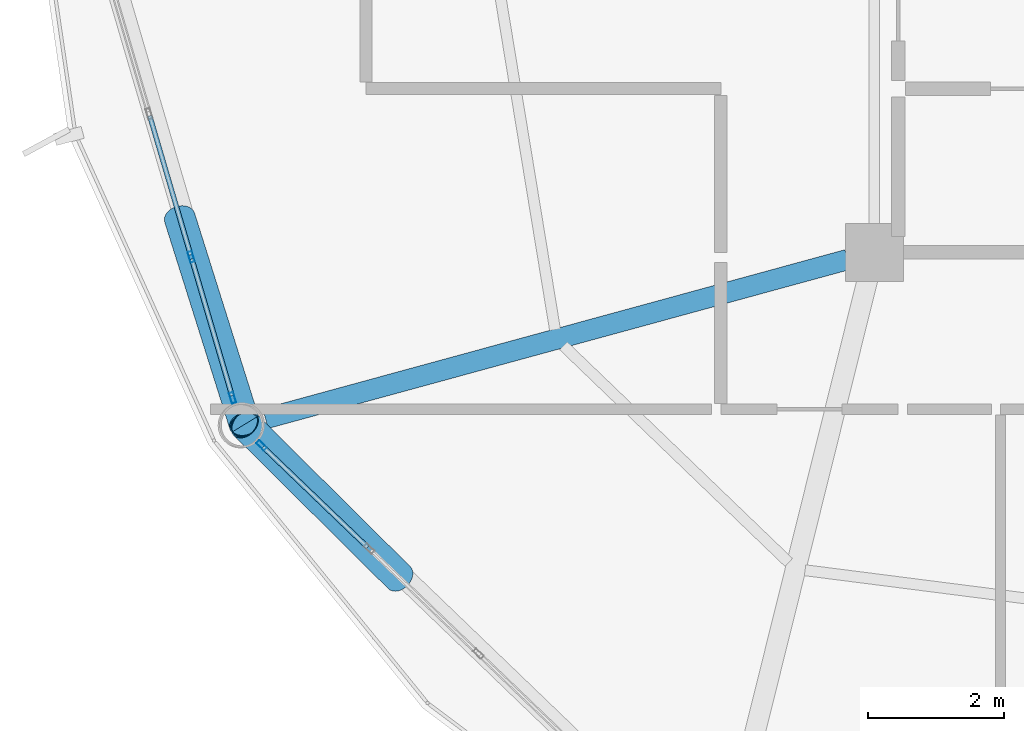
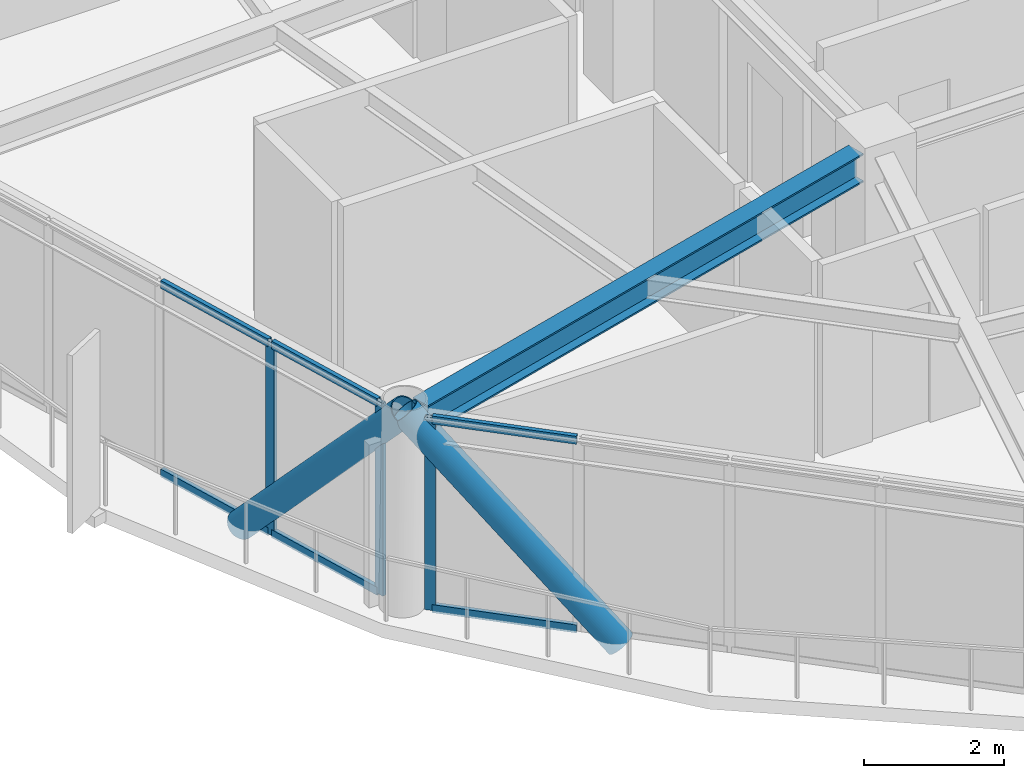
# One storey, part 4 of 28: 11 members, 1 beam, 2 elements without a shape of their own.
"""IFC4 building model written with IfcOpenShell, lengths in metres."""

from ifc_helpers import new_model, si_unit, direction, frame, origin, origin_2d, place, context, subcontext, project, spatial, hollow_rectangle, hollow_circle, i_section, extrude, material, layer, layer_set, material_profile, profile_set, type_object, element, aggregate, save


model = new_model("IFC4")

# Units and contexts
model_context = context("Model", 3, precision=1e-05, world=origin(), true_north=direction((0.0, 1.0)))
body_context = subcontext(model_context, "Body", "Model", "MODEL_VIEW")
ifc_project = project(units=[si_unit("LENGTHUNIT", "METRE"), si_unit("AREAUNIT", "SQUARE_METRE"), si_unit("VOLUMEUNIT", "CUBIC_METRE"), si_unit("PLANEANGLEUNIT", "RADIAN"), si_unit("MASSUNIT", "GRAM", prefix="KILO")], contexts=[model_context])

# Site, building, storey
site_placement = place(None, origin())
site = spatial("IfcSite", under=ifc_project, at=site_placement, CompositionType="ELEMENT")
building_placement = place(site_placement, origin())
building = spatial("IfcBuilding", under=site, at=building_placement, Name="Varnakorn Sky Granary", CompositionType="ELEMENT")
storey_placement = place(building_placement, frame((0.0, 0.0, 211.199951171875)))
storey = spatial("IfcBuildingStorey", under=building, at=storey_placement, Name="L53", CompositionType="ELEMENT", Elevation=211.199951171875)

# Beam
ifc_material_1 = material(Name="Steel S355JR", Category="steel")
ifc_material_profile_1 = material_profile(ifc_material_1, i_section(OverallWidth=0.300048828125, OverallDepth=0.5, WebThickness=0.014404296875, FlangeThickness=0.028076171875, at=origin_2d()), Name="HE 500 B")
ifc_profile_set_1 = profile_set([ifc_material_profile_1], Name="Steel S355JR")
beam_type = type_object("IfcBeamType", Name="BM-RAD-Z4", PredefinedType="BEAM", material=ifc_profile_set_1)
beam_placement = place(storey_placement, frame((-2.74072265625, -6.706787109375, 3.110107421875), z_axis=(-0.964652923133, -0.263523695122, 0.0), x_axis=(0.263523695122, -0.964652923133, 0.0)))
element("IfcBeam", 1, at=beam_placement, inside=storey, type_object=beam_type, Name="Radial Floor Girder RG08 L53", PredefinedType="BEAM", context=body_context, shape_type="SweptSolid", body=[
    extrude(i_section(OverallWidth=0.300048828125, OverallDepth=0.5, WebThickness=0.014404296875, FlangeThickness=0.028076171875, at=origin_2d()), origin(), (0.0, 0.0, 1.0), 8.8466796875),
])

# Curtain wall, members
ifc_material_2 = material(Name="Anodised Bronze Aluminium Alloy 6063-T6", Category="aluminium")
ifc_layer = layer(ifc_material_2, 0.169921875, Name="Anodised Bronze Aluminium Alloy 6063-T6")
ifc_layer_set = layer_set([ifc_layer], Name="Anodised Bronze Aluminium Alloy 6063-T6")
curtain_wall_type = type_object("IfcCurtainWallType", Name="CW-LAB-1", PredefinedType="USERDEFINED", material=ifc_layer_set)
curtain_wall_1_placement = place(storey_placement, origin())
curtain_wall_1 = element("IfcCurtainWall", 2, at=curtain_wall_1_placement, inside=storey, type_object=curtain_wall_type, Name="Unitised Curtain Wall CW5 CW-L53-B07", ObjectType="CURTAIN WALL", PredefinedType="USERDEFINED")
ifc_material_profile_2 = material_profile(ifc_material_2, hollow_rectangle(XDim=0.06494140625, YDim=0.159912109375, WallThickness=0.00341796875, at=origin_2d()), Name="ALU MULL 65x160")
ifc_profile_set_2 = profile_set([ifc_material_profile_2], Name="Anodised Bronze Aluminium Alloy 6063-T6")
member_type_1 = type_object("IfcMemberType", Name="CW-LAB-1-MULL", PredefinedType="MULLION", material=ifc_profile_set_2)
member_1_placement = place(storey_placement, frame((-11.756591796875, -8.732666015625, 0.0), z_axis=(0.0, 0.0, 1.0), x_axis=(-0.959425208919, -0.28196323961, 0.0)))
member_1 = element("IfcMember", 3, at=member_1_placement, type_object=member_type_1, Name="CW5 mullion 1", PredefinedType="MULLION", context=body_context, shape_type="SweptSolid", body=[
    extrude(hollow_rectangle(XDim=0.06494140625, YDim=0.159912109375, WallThickness=0.00341796875, at=origin_2d()), origin(), (0.0, 0.0, 1.0), 3.360107421875),
])
member_2_placement = place(storey_placement, frame((-12.36376953125, -6.66650390625, 0.0), z_axis=(0.0, 0.0, 1.0), x_axis=(-0.959425208919, -0.28196323961, 0.0)))
member_2 = element("IfcMember", 4, at=member_2_placement, type_object=member_type_1, Name="CW5 mullion 2", PredefinedType="MULLION", context=body_context, shape_type="SweptSolid", body=[
    extrude(hollow_rectangle(XDim=0.06494140625, YDim=0.159912109375, WallThickness=0.00341796875, at=origin_2d()), origin(), (0.0, 0.0, 1.0), 3.360107421875),
])

# Curtain wall, member
curtain_wall_2_placement = place(storey_placement, origin())
curtain_wall_2 = element("IfcCurtainWall", 5, at=curtain_wall_2_placement, inside=storey, type_object=curtain_wall_type, Name="Unitised Curtain Wall CW5 CW-L53-B08", ObjectType="CURTAIN WALL", PredefinedType="USERDEFINED")
member_3_placement = place(storey_placement, frame((-11.332763671875, -9.4306640625, 0.0), z_axis=(0.0, 0.0, 1.0), x_axis=(-0.692516121649, -0.721402398982, 0.0)))
member_3 = element("IfcMember", 6, at=member_3_placement, type_object=member_type_1, Name="CW5 mullion 5", PredefinedType="MULLION", context=body_context, shape_type="SweptSolid", body=[
    extrude(hollow_rectangle(XDim=0.06494140625, YDim=0.159912109375, WallThickness=0.00341796875, at=origin_2d()), origin(), (0.0, 0.0, 1.0), 3.360107421875),
])

# Member
ifc_material_profile_3 = material_profile(ifc_material_2, hollow_rectangle(XDim=0.070068359375, YDim=0.139892578125, WallThickness=0.00341796875, at=origin_2d()), Name="ALU TRAN 70x140")
ifc_profile_set_3 = profile_set([ifc_material_profile_3], Name="Anodised Bronze Aluminium Alloy 6063-T6")
member_type_2 = type_object("IfcMemberType", Name="CW-LAB-1-TRAN", PredefinedType="USERDEFINED", material=ifc_profile_set_3)
member_4_placement = place(storey_placement, frame((-11.765625, -8.701416015625, 0.03515625), z_axis=(-0.282046085468, 0.959400857656, 0.0), x_axis=(-0.959400857656, -0.282046085468, 0.0)))
member_4 = element("IfcMember", 7, at=member_4_placement, type_object=member_type_2, Name="CW5 transom 1.1", ObjectType="TRANSOM", PredefinedType="USERDEFINED", context=body_context, shape_type="SweptSolid", body=[
    extrude(hollow_rectangle(XDim=0.070068359375, YDim=0.139892578125, WallThickness=0.00341796875, at=origin_2d()), origin(), (0.0, 0.0, 1.0), 2.088623046875),
])

member_5_placement = place(storey_placement, frame((-11.765625, -8.701416015625, 3.324951171875), z_axis=(-0.282046085468, 0.959400857656, 0.0), x_axis=(-0.959400857656, -0.282046085468, 0.0)))
member_5 = element("IfcMember", 8, at=member_5_placement, type_object=member_type_2, Name="CW5 transom 1.2", ObjectType="TRANSOM", PredefinedType="USERDEFINED", context=body_context, shape_type="SweptSolid", body=[
    extrude(hollow_rectangle(XDim=0.070068359375, YDim=0.139892578125, WallThickness=0.00341796875, at=origin_2d()), origin(), (0.0, 0.0, 1.0), 2.088623046875),
])

member_6_placement = place(storey_placement, frame((-12.373046875, -6.63525390625, 0.03515625), z_axis=(-0.281873435713, 0.959451596611, 0.0), x_axis=(-0.959451596611, -0.281873435713, 0.0)))
member_6 = element("IfcMember", 9, at=member_6_placement, type_object=member_type_2, Name="CW5 transom 2.1", ObjectType="TRANSOM", PredefinedType="USERDEFINED", context=body_context, shape_type="SweptSolid", body=[
    extrude(hollow_rectangle(XDim=0.070068359375, YDim=0.139892578125, WallThickness=0.00341796875, at=origin_2d()), origin(), (0.0, 0.0, 1.0), 2.12109375),
])

member_7_placement = place(storey_placement, frame((-12.373046875, -6.63525390625, 3.324951171875), z_axis=(-0.281873435713, 0.959451596611, 0.0), x_axis=(-0.959451596611, -0.281873435713, 0.0)))
member_7 = element("IfcMember", 10, at=member_7_placement, type_object=member_type_2, Name="CW5 transom 2.2", ObjectType="TRANSOM", PredefinedType="USERDEFINED", context=body_context, shape_type="SweptSolid", body=[
    extrude(hollow_rectangle(XDim=0.070068359375, YDim=0.139892578125, WallThickness=0.00341796875, at=origin_2d()), origin(), (0.0, 0.0, 1.0), 2.12109375),
])

aggregate(curtain_wall_1, [member_1, member_2, member_4, member_5, member_6, member_7])

member_8_placement = place(storey_placement, frame((-9.778076171875, -10.9228515625, 0.03515625), z_axis=(-0.721451679609, 0.692464781768, 0.0), x_axis=(-0.692464781768, -0.721451679609, 0.0)))
member_8 = element("IfcMember", 11, at=member_8_placement, type_object=member_type_2, Name="CW5 transom 4.1", ObjectType="TRANSOM", PredefinedType="USERDEFINED", context=body_context, shape_type="SweptSolid", body=[
    extrude(hollow_rectangle(XDim=0.070068359375, YDim=0.139892578125, WallThickness=0.00341796875, at=origin_2d()), origin(), (0.0, 0.0, 1.0), 2.12255859375),
])

member_9_placement = place(storey_placement, frame((-9.778076171875, -10.9228515625, 3.324951171875), z_axis=(-0.721451679609, 0.692464781768, 0.0), x_axis=(-0.692464781768, -0.721451679609, 0.0)))
member_9 = element("IfcMember", 12, at=member_9_placement, type_object=member_type_2, Name="CW5 transom 4.2", ObjectType="TRANSOM", PredefinedType="USERDEFINED", context=body_context, shape_type="SweptSolid", body=[
    extrude(hollow_rectangle(XDim=0.070068359375, YDim=0.139892578125, WallThickness=0.00341796875, at=origin_2d()), origin(), (0.0, 0.0, 1.0), 2.12255859375),
])

aggregate(curtain_wall_2, [member_3, member_8, member_9])

# Members
ifc_material_3 = material(Name="Steel S460M", Category="steel")
ifc_material_profile_4 = material_profile(ifc_material_3, hollow_circle(Radius=0.228515625, WallThickness=0.01611328125, at=origin_2d()), Name="CHS 457x16")
ifc_profile_set_4 = profile_set([ifc_material_profile_4], Name="Steel S460M")
member_type_3 = type_object("IfcMemberType", Name="MB-DIAG-T3", PredefinedType="BRACE", material=ifc_profile_set_4)
member_10_placement = place(storey_placement, frame((-12.53271484375, -6.092041015625, -0.1298828125), z_axis=(0.202198700696, -0.64193430899, 0.73961883993), x_axis=(0.953803161755, 0.300432236329, 0.0)))
element("IfcMember", 13, at=member_10_placement, inside=storey, type_object=member_type_3, Name="Perimeter CHS Diagrid Brace DG07 L53", PredefinedType="BRACE", context=body_context, shape_type="SweptSolid", body=[
    extrude(hollow_circle(Radius=0.228515625, WallThickness=0.01611328125, at=origin_2d()), origin(), (0.0, 0.0, 1.0), 4.71875),
])
member_11_placement = place(storey_placement, frame((-9.314697265625, -11.367919921875, -0.1298828125), z_axis=(-0.478836020751, 0.475221384554, 0.738160349039), x_axis=(-0.704422710828, -0.709780701674, 0.0)))
element("IfcMember", 14, at=member_11_placement, inside=storey, type_object=member_type_3, Name="Perimeter CHS Diagrid Brace DG08 L53", PredefinedType="BRACE", context=body_context, shape_type="SweptSolid", body=[
    extrude(hollow_circle(Radius=0.228515625, WallThickness=0.01611328125, at=origin_2d()), origin(), (0.0, 0.0, 1.0), 4.72802734375),
])

save(model, "model.ifc")
